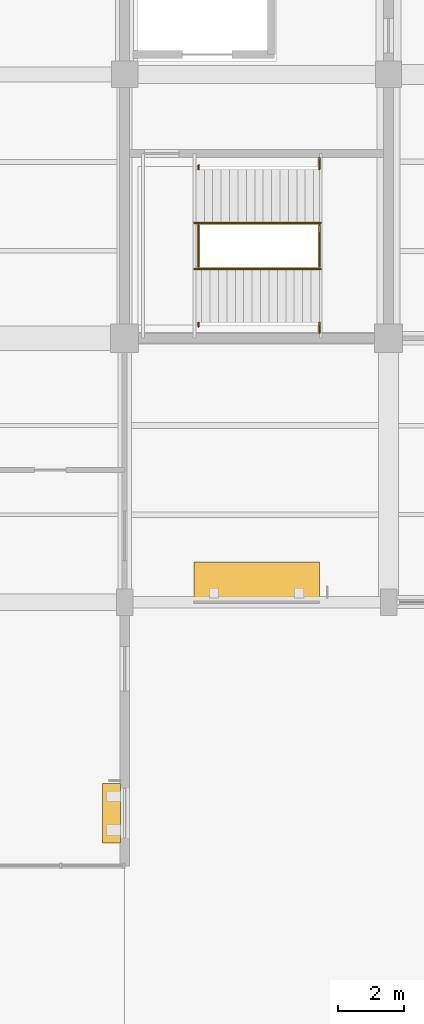
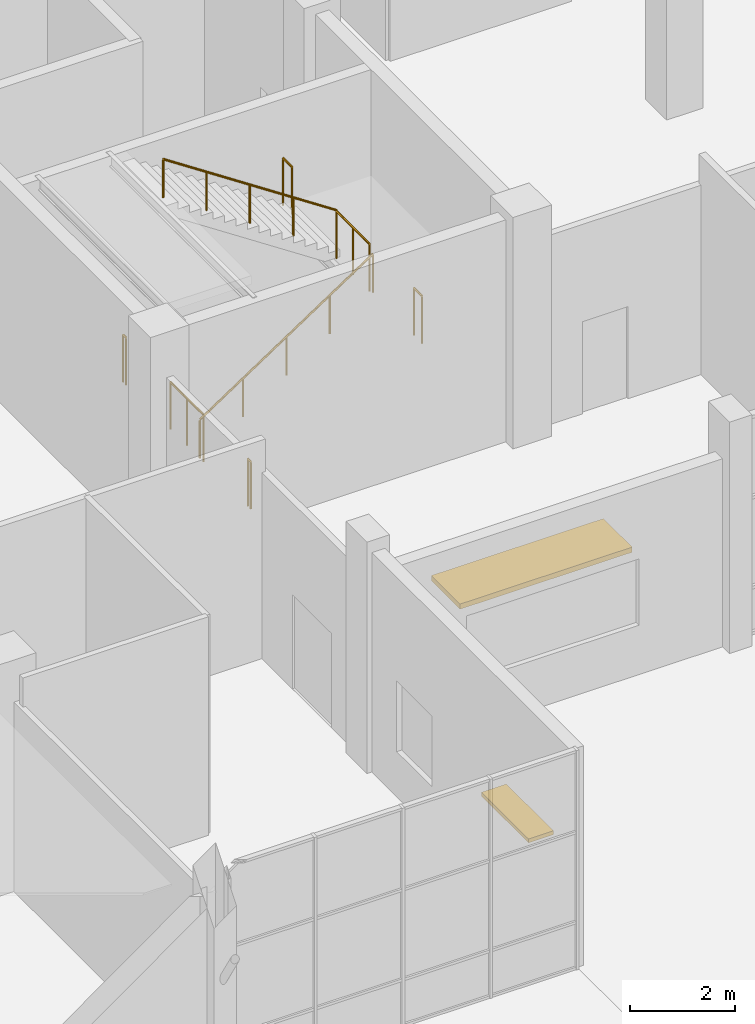
# One storey, part 118 of 123: 8 railings, 2 shading devices, 1 element without a shape of its own.
"""IFC4 building model written with IfcOpenShell, lengths in metres."""

from ifc_helpers import new_model, si_unit, direction, frame, origin, origin_2d, place, context, subcontext, project, spatial, rectangle, circle, extrude, material, layer, layer_set, type_object, element, aggregate, save


model = new_model("IFC4")

# Units and contexts
model_context = context("Model", 3, precision=1e-05, world=origin(), true_north=direction((0.0, 1.0)))
body_context = subcontext(model_context, "Body", "Model", "MODEL_VIEW")
ifc_project = project(units=[si_unit("LENGTHUNIT", "METRE"), si_unit("AREAUNIT", "SQUARE_METRE"), si_unit("VOLUMEUNIT", "CUBIC_METRE"), si_unit("PLANEANGLEUNIT", "RADIAN"), si_unit("MASSUNIT", "GRAM", prefix="KILO")], contexts=[model_context])

# Site, building, storey
site_placement = place(None, origin())
site = spatial("IfcSite", under=ifc_project, at=site_placement, CompositionType="ELEMENT")
building_placement = place(site_placement, origin())
building = spatial("IfcBuilding", under=site, at=building_placement, Name="Tenunan Teduh Sports Hall", CompositionType="ELEMENT")
storey_placement = place(building_placement, origin())
storey = spatial("IfcBuildingStorey", under=building, at=storey_placement, Name="L00", CompositionType="ELEMENT", Elevation=0.0)

# Railings
ifc_material_1 = material(Name="Galvanised and powder-coated steel", Category="steel")
ifc_layer_1 = layer(ifc_material_1, 0.070068359375)
ifc_layer_set_1 = layer_set([ifc_layer_1], Name="Galvanised and powder-coated steel")
railing_type_1 = type_object("IfcRailingType", Name="RLG-EXT-GRD", PredefinedType="GUARDRAIL", material=ifc_layer_set_1)
railing_1_placement = place(storey_placement, frame((56.239990234375, 96.169921875, 0.0)))
element("IfcRailing", 1, at=railing_1_placement, inside=storey, type_object=railing_type_1, Name="RLG-STW-WLND-W3-B1", PredefinedType="GUARDRAIL", context=body_context, shape_type="SweptSolid", body=[
    extrude(circle(Radius=0.02392578125, at=origin_2d()), frame((0.0, 0.0, 1.09619140625), z_axis=(0.0, 1.0, 0.0), x_axis=(-1.0, 0.0, 0.0)), (0.0, 0.0, 1.0), 1.260009765625),
    extrude(circle(Radius=0.02099609375, at=origin_2d()), origin(), (0.0, 0.0, 1.0), 1.072021484375),
    extrude(circle(Radius=0.02099609375, at=origin_2d()), frame((0.0, 0.6298828125, 0.0)), (0.0, 0.0, 1.0), 1.072021484375),
    extrude(circle(Radius=0.02099609375, at=origin_2d()), frame((0.0, 1.260009765625, 0.0)), (0.0, 0.0, 1.0), 1.072021484375),
])
railing_2_placement = place(storey_placement, frame((56.239990234375, 94.360107421875, 0.0)))
element("IfcRailing", 2, at=railing_2_placement, inside=storey, type_object=railing_type_1, Name="RLG-STW-WLNDS-W3-B1", PredefinedType="GUARDRAIL", context=body_context, shape_type="SweptSolid", body=[
    extrude(circle(Radius=0.02392578125, at=origin_2d()), frame((0.0, 0.0, 1.09619140625), z_axis=(0.0, 1.0, 0.0), x_axis=(-1.0, 0.0, 0.0)), (0.0, 0.0, 1.0), 0.10986328125),
    extrude(circle(Radius=0.02099609375, at=origin_2d()), origin(), (0.0, 0.0, 1.0), 1.072021484375),
    extrude(circle(Radius=0.02099609375, at=origin_2d()), frame((0.0, 0.10986328125, 0.0)), (0.0, 0.0, 1.0), 1.072021484375),
])
railing_3_placement = place(storey_placement, frame((56.239990234375, 99.1298828125, 0.0)))
element("IfcRailing", 3, at=railing_3_placement, inside=storey, type_object=railing_type_1, Name="RLG-STW-WLNDN-W3-B1", PredefinedType="GUARDRAIL", context=body_context, shape_type="SweptSolid", body=[
    extrude(circle(Radius=0.02392578125, at=origin_2d()), frame((0.0, 0.0, 1.09619140625), z_axis=(0.0, 1.0, 0.0), x_axis=(-1.0, 0.0, 0.0)), (0.0, 0.0, 1.0), 0.110107421875),
    extrude(circle(Radius=0.02099609375, at=origin_2d()), origin(), (0.0, 0.0, 1.0), 1.072021484375),
    extrude(circle(Radius=0.02099609375, at=origin_2d()), frame((0.0, 0.110107421875, 0.0)), (0.0, 0.0, 1.0), 1.072021484375),
])
railing_4_placement = place(storey_placement, frame((59.905029296875, 96.169921875, 2.699951171875)))
element("IfcRailing", 4, at=railing_4_placement, inside=storey, type_object=railing_type_1, Name="RLG-STW-MID-W3-L00", PredefinedType="GUARDRAIL", context=body_context, shape_type="SweptSolid", body=[
    extrude(circle(Radius=0.02392578125, at=origin_2d()), frame((0.0, 0.0, 1.09619140625), z_axis=(0.0, 1.0, 0.0), x_axis=(-1.0, 0.0, 0.0)), (0.0, 0.0, 1.0), 1.260009765625),
    extrude(circle(Radius=0.02099609375, at=origin_2d()), origin(), (0.0, 0.0, 1.0), 1.072021484375),
    extrude(circle(Radius=0.02099609375, at=origin_2d()), frame((0.0, 0.6298828125, 0.0)), (0.0, 0.0, 1.0), 1.072021484375),
    extrude(circle(Radius=0.02099609375, at=origin_2d()), frame((0.0, 1.260009765625, 0.0)), (0.0, 0.0, 1.0), 1.072021484375),
])
railing_5_placement = place(storey_placement, frame((59.905029296875, 94.159912109375, 2.699951171875)))
element("IfcRailing", 5, at=railing_5_placement, inside=storey, type_object=railing_type_1, Name="RLG-STW-MIDS-W3-L00", PredefinedType="GUARDRAIL", context=body_context, shape_type="SweptSolid", body=[
    extrude(circle(Radius=0.02392578125, at=origin_2d()), frame((0.0, 0.0, 1.09619140625), z_axis=(0.0, 1.0, 0.0), x_axis=(-1.0, 0.0, 0.0)), (0.0, 0.0, 1.0), 0.31005859375),
    extrude(circle(Radius=0.02099609375, at=origin_2d()), origin(), (0.0, 0.0, 1.0), 1.072021484375),
    extrude(circle(Radius=0.02099609375, at=origin_2d()), frame((0.0, 0.31005859375, 0.0)), (0.0, 0.0, 1.0), 1.072021484375),
])
railing_6_placement = place(storey_placement, frame((59.905029296875, 99.1298828125, 2.699951171875)))
element("IfcRailing", 6, at=railing_6_placement, inside=storey, type_object=railing_type_1, Name="RLG-STW-MIDN-W3-L00", PredefinedType="GUARDRAIL", context=body_context, shape_type="SweptSolid", body=[
    extrude(circle(Radius=0.02392578125, at=origin_2d()), frame((0.0, 0.0, 1.09619140625), z_axis=(0.0, 1.0, 0.0), x_axis=(-1.0, 0.0, 0.0)), (0.0, 0.0, 1.0), 0.340087890625),
    extrude(circle(Radius=0.02099609375, at=origin_2d()), origin(), (0.0, 0.0, 1.0), 1.072021484375),
    extrude(circle(Radius=0.02099609375, at=origin_2d()), frame((0.0, 0.340087890625, 0.0)), (0.0, 0.0, 1.0), 1.072021484375),
])

# Stair, railings
ifc_material_2 = material(Name="Precast concrete C40/50", Category="concrete")
stair_type = type_object("IfcStairType", Name="STR-CORE-42", PredefinedType="HALF_TURN_STAIR", material=ifc_material_2)
stair_placement = place(storey_placement, origin())
stair = element("IfcStair", 7, at=stair_placement, inside=storey, type_object=stair_type, Name="STR-W3-L00", PredefinedType="HALF_TURN_STAIR")
ifc_material_3 = material(Name="Brushed stainless steel", Category="steel")
ifc_layer_2 = layer(ifc_material_3, 0.050048828125)
ifc_layer_set_2 = layer_set([ifc_layer_2], Name="Brushed stainless steel")
railing_type_2 = type_object("IfcRailingType", Name="RLG-STAIR-HR", PredefinedType="HANDRAIL", material=ifc_layer_set_2)
railing_7_placement = place(storey_placement, frame((56.1201171875, 96.10009765625, 0.168701171875)))
railing_7 = element("IfcRailing", 8, at=railing_7_placement, type_object=railing_type_2, Name="STR-W3-L00-HR1", PredefinedType="HANDRAIL", context=body_context, shape_type="SweptSolid", body=[
    extrude(circle(Radius=0.02392578125, at=origin_2d()), frame((0.0, 0.0, 0.89599609375), z_axis=(0.833928963496, 0.0, 0.551871800187), x_axis=(0.0, 1.0, 0.0)), (0.0, 0.0, 1.0), 4.586669921875),
    extrude(circle(Radius=0.02099609375, at=origin_2d()), origin(), (0.0, 0.0, 1.0), 0.871826171875),
    extrude(circle(Radius=0.02099609375, at=origin_2d()), frame((0.956298828125, 0.0, 0.6328125)), (0.0, 0.0, 1.0), 0.871826171875),
    extrude(circle(Radius=0.02099609375, at=origin_2d()), frame((1.91259765625, 0.0, 1.265625)), (0.0, 0.0, 1.0), 0.871826171875),
    extrude(circle(Radius=0.02099609375, at=origin_2d()), frame((2.86865234375, 0.0, 1.8984375)), (0.0, 0.0, 1.0), 0.871826171875),
    extrude(circle(Radius=0.02099609375, at=origin_2d()), frame((3.824951171875, 0.0, 2.53125)), (0.0, 0.0, 1.0), 0.871826171875),
])
railing_8_placement = place(storey_placement, frame((59.945068359375, 97.5, 2.86865234375)))
railing_8 = element("IfcRailing", 9, at=railing_8_placement, type_object=railing_type_2, Name="STR-W3-L00-HR2", PredefinedType="HANDRAIL", context=body_context, shape_type="SweptSolid", body=[
    extrude(circle(Radius=0.02392578125, at=origin_2d()), frame((0.0, 0.0, 0.89599609375), z_axis=(-0.833928963496, 0.0, 0.551871800187), x_axis=(0.0, -1.0, 0.0)), (0.0, 0.0, 1.0), 4.586669921875),
    extrude(circle(Radius=0.02099609375, at=origin_2d()), origin(), (0.0, 0.0, 1.0), 0.871826171875),
    extrude(circle(Radius=0.02099609375, at=origin_2d()), frame((-0.956298828125, 0.0, 0.6328125)), (0.0, 0.0, 1.0), 0.871826171875),
    extrude(circle(Radius=0.02099609375, at=origin_2d()), frame((-1.91259765625, 0.0, 1.265625)), (0.0, 0.0, 1.0), 0.871826171875),
    extrude(circle(Radius=0.02099609375, at=origin_2d()), frame((-2.86865234375, 0.0, 1.8984375)), (0.0, 0.0, 1.0), 0.871826171875),
    extrude(circle(Radius=0.02099609375, at=origin_2d()), frame((-3.824951171875, 0.0, 2.53125)), (0.0, 0.0, 1.0), 0.871826171875),
])
aggregate(stair, [railing_7, railing_8])

# Shading devices
ifc_material_4 = material(Name="Perforated anodised aluminium", Category="aluminium")
shading_device_type_1 = type_object("IfcShadingDeviceType", Name="SHD-LOUVRE-2", PredefinedType="SHUTTER", material=ifc_material_4)
shading_device_1_placement = place(storey_placement, frame((53.60498046875, 79.60009765625, 2.71484375), z_axis=(0.0, 0.0, 1.0), x_axis=(0.0, 1.0, 0.0)))
element("IfcShadingDevice", 10, at=shading_device_1_placement, inside=storey, type_object=shading_device_type_1, Name="SHD-L00-013", PredefinedType="SHUTTER", context=body_context, shape_type="SweptSolid", body=[
    extrude(rectangle(XDim=1.800048828125, YDim=0.550048828125, at=origin_2d()), origin(), (0.0, 0.0, 1.0), 0.090087890625),
])
ifc_material_5 = material(Name="Perforated anodised aluminium", Category="aluminium")
shading_device_type_2 = type_object("IfcShadingDeviceType", Name="SHD-SUNSHADE-1", PredefinedType="JALOUSIE", material=ifc_material_5)
shading_device_2_placement = place(storey_placement, frame((58.0, 86.6650390625, 2.699951171875), z_axis=(0.0, 0.0, 1.0), x_axis=(1.0, 0.0, 0.0)))
element("IfcShadingDevice", 11, at=shading_device_2_placement, inside=storey, type_object=shading_device_type_2, Name="SHD-L00-014", PredefinedType="JALOUSIE", context=body_context, shape_type="SweptSolid", body=[
    extrude(rectangle(XDim=3.800048828125, YDim=1.10009765625, at=origin_2d()), origin(), (0.0, 0.0, 1.0), 0.1201171875),
])

save(model, "model.ifc")
